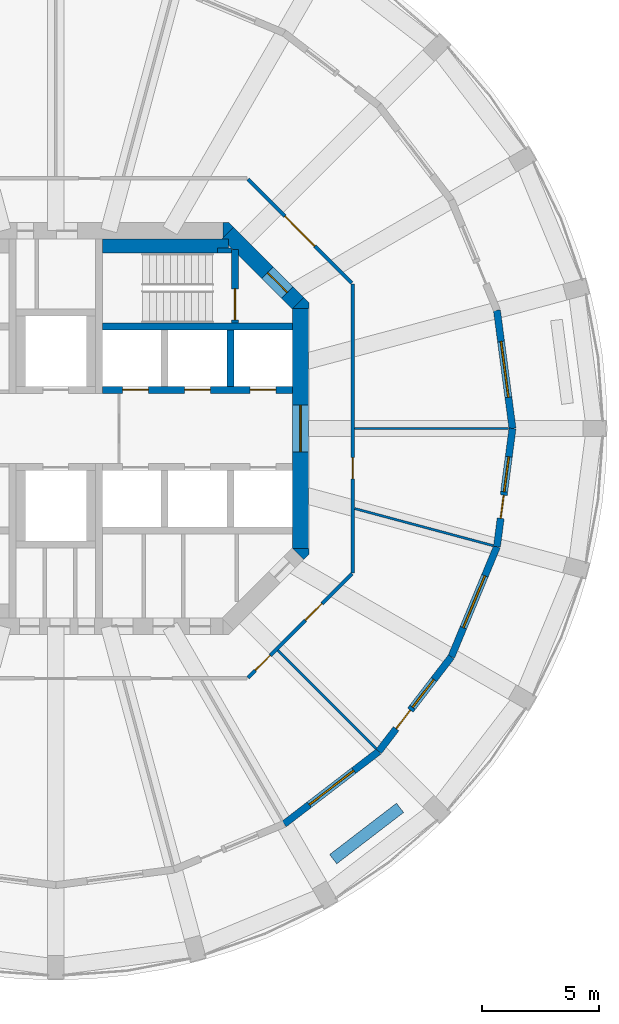
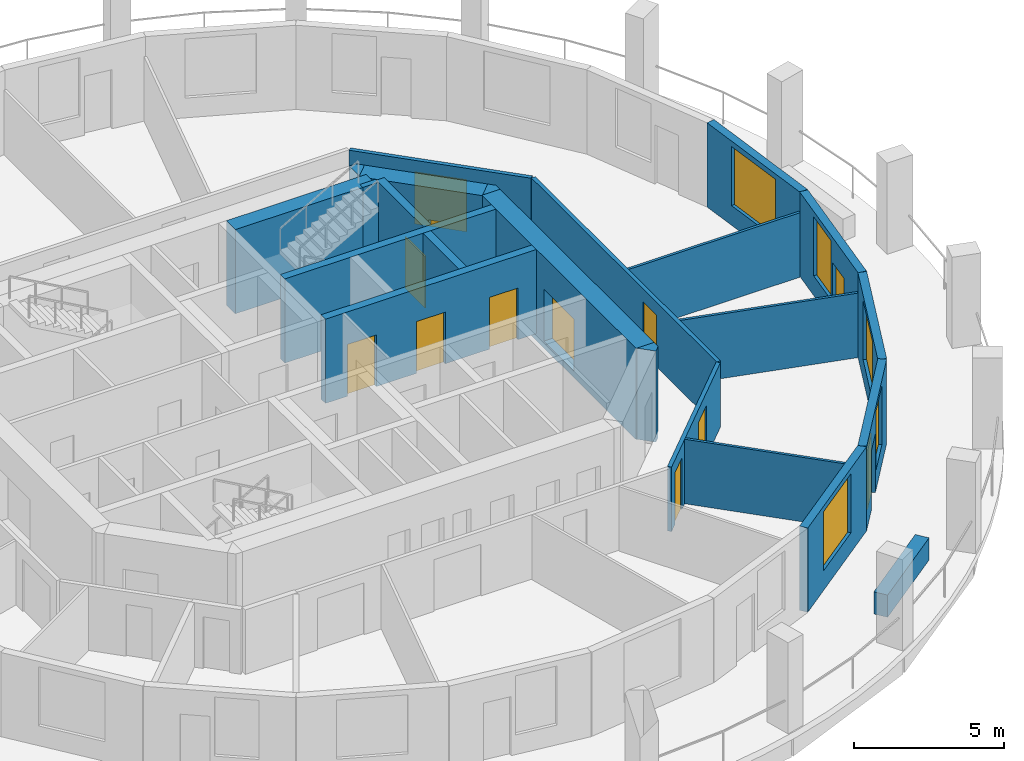
# One storey, part 5 of 9: 23 walls, 12 doors, 5 windows, 17 openings.
"""IFC4 building model written with IfcOpenShell, lengths in metres."""

from ifc_helpers import new_model, si_unit, direction, frame, frame_2d, origin, place, context, subcontext, project, spatial, polyline, rectangle, outline, extrude, material, layer, layer_set, type_object, element, fill, save


model = new_model("IFC4")

# Units and contexts
model_context = context("Model", 3, precision=1e-05, world=origin(), true_north=direction((0.0, 1.0)))
body_context = subcontext(model_context, "Body", "Model", "MODEL_VIEW")
ifc_project = project(units=[si_unit("LENGTHUNIT", "METRE"), si_unit("AREAUNIT", "SQUARE_METRE"), si_unit("VOLUMEUNIT", "CUBIC_METRE"), si_unit("PLANEANGLEUNIT", "RADIAN"), si_unit("MASSUNIT", "GRAM", prefix="KILO")], contexts=[model_context])

# Site, building, storey
site_placement = place(None, origin())
site = spatial("IfcSite", under=ifc_project, at=site_placement, CompositionType="ELEMENT")
building_placement = place(site_placement, origin())
building = spatial("IfcBuilding", under=site, at=building_placement, Name="Torre Triforio", CompositionType="ELEMENT")
storey_placement = place(building_placement, frame((0.0, 0.0, 211.300048828125)))
storey = spatial("IfcBuildingStorey", under=building, at=storey_placement, Name="L48", CompositionType="ELEMENT", Elevation=211.300048828125)

# Wall, opening, door
ifc_material_1 = material(Name="Concrete C50", Category="concrete")
ifc_layer_1 = layer(ifc_material_1, 0.699951171875)
ifc_layer_set_1 = layer_set([ifc_layer_1], Name="Concrete C50")
wall_type_1 = type_object("IfcWallType", Name="Core wall 700 mm C50 EI 120", PredefinedType="SHEAR", material=ifc_layer_set_1)
wall_1_placement = place(storey_placement, frame((10.449951171875, -5.1298828125, -0.280029296875), z_axis=(0.0, 0.0, 1.0), x_axis=(0.0, 1.0, 0.0)))
wall_1 = element("IfcWall", 1, at=wall_1_placement, inside=storey, type_object=wall_type_1, Name="Core wall", PredefinedType="SHEAR", context=body_context, shape_type="SweptSolid", body=[
    extrude(rectangle(XDim=10.259765625, YDim=0.699951171875, at=frame_2d((5.1298828125, 0.0))), origin(), (0.0, 0.0, 1.0), 3.699951171875),
])
opening_1_placement = place(wall_1_placement, frame((4.1298828125, 0.0, 0.280029296875)))
opening_1 = element("IfcOpeningElement", 2, at=opening_1_placement, cuts=wall_1, Name="Opening E-RING", PredefinedType="OPENING", context=body_context, shape_type="SweptSolid", body=[
    extrude(rectangle(XDim=2.0, YDim=2.10009765625, at=frame_2d((1.0, 1.050048828125))), frame((0.0, 0.35986328125, 0.0), z_axis=(0.0, -1.0, 0.0), x_axis=(1.0, 0.0, 0.0)), (0.0, 0.0, 1.0), 0.719970703125),
])
ifc_material_2 = material(Name="Hollow metal fire door leaf")
door_type_1 = type_object("IfcDoorType", Name="Lobby door 2000 x 2100 EI 60", OperationType="DOUBLE_DOOR_SINGLE_SWING", PredefinedType="DOOR", material=ifc_material_2)
door_1_placement = place(opening_1_placement, origin())
door_1 = element("IfcDoor", 3, at=door_1_placement, inside=storey, type_object=door_type_1, Name="Core door E-RING", OperationType="DOUBLE_DOOR_SINGLE_SWING", OverallHeight=2.10009765625, OverallWidth=2.0, PredefinedType="DOOR", context=body_context, shape_type="SweptSolid", body=[
    extrude(rectangle(XDim=2.0, YDim=2.10009765625, at=frame_2d((1.0, 1.050048828125))), frame((0.0, 0.02490234375, 0.0), z_axis=(0.0, -1.0, 0.0), x_axis=(1.0, 0.0, 0.0)), (0.0, 0.0, 1.0), 0.050048828125),
])
fill(opening_1, door_1)

wall_2_placement = place(storey_placement, frame((7.347412109375, 8.347412109375, -0.280029296875), z_axis=(0.0, 0.0, 1.0), x_axis=(0.707106781187, -0.707106781187, 0.0)))
wall_2 = element("IfcWall", 4, at=wall_2_placement, inside=storey, type_object=wall_type_1, Name="Core wall", PredefinedType="SHEAR", context=body_context, shape_type="SweptSolid", body=[
    extrude(rectangle(XDim=4.24267578125, YDim=0.699951171875, at=frame_2d((2.121337890625, 0.0))), origin(), (0.0, 0.0, 1.0), 3.699951171875),
])
opening_2_placement = place(wall_2_placement, frame((2.392578125, 0.0, 0.280029296875)))
opening_2 = element("IfcOpeningElement", 5, at=opening_2_placement, cuts=wall_2, Name="Opening ST2-EXIT", PredefinedType="OPENING", context=body_context, shape_type="SweptSolid", body=[
    extrude(rectangle(XDim=1.199951171875, YDim=2.10009765625, at=frame_2d((0.60009765625, 1.050048828125))), frame((0.0, 0.35986328125, 0.0), z_axis=(0.0, -1.0, 0.0), x_axis=(1.0, 0.0, 0.0)), (0.0, 0.0, 1.0), 0.719970703125),
])
door_type_2 = type_object("IfcDoorType", Name="Stair lobby door 1200 x 2100 EI 60", OperationType="NOTDEFINED", PredefinedType="DOOR", material=ifc_material_2)
door_2_placement = place(opening_2_placement, origin())
door_2 = element("IfcDoor", 6, at=door_2_placement, inside=storey, type_object=door_type_2, Name="Core door ST2-EXIT", OperationType="SINGLE_SWING_RIGHT", OverallHeight=2.10009765625, OverallWidth=1.199951171875, PredefinedType="DOOR", context=body_context, shape_type="SweptSolid", body=[
    extrude(rectangle(XDim=1.199951171875, YDim=2.10009765625, at=frame_2d((0.60009765625, 1.050048828125))), frame((0.0, 0.02490234375, 0.0), z_axis=(0.0, -1.0, 0.0), x_axis=(1.0, 0.0, 0.0)), (0.0, 0.0, 1.0), 0.050048828125),
])
fill(opening_2, door_2)

# Walls
wall_3_placement = place(storey_placement, frame((0.0, 0.0, -0.280029296875)))
element("IfcWall", 7, at=wall_3_placement, inside=storey, type_object=wall_type_1, Name="Core wall", PredefinedType="SHEAR", context=body_context, shape_type="SweptSolid", body=[
    extrude(outline(polyline([(10.800048828125, -5.389892578125), (10.594970703125, -5.594970703125), (10.594970703125, -5.594970703125), (10.594970703125, -5.594970703125), (10.1298828125, -5.1298828125), (10.800048828125, -5.1298828125), (10.800048828125, -5.1298828125), (10.800048828125, -5.389892578125)])), origin(), (0.0, 0.0, 1.0), 3.699951171875),
])
wall_4_placement = place(storey_placement, frame((0.0, 0.0, -0.280029296875)))
element("IfcWall", 8, at=wall_4_placement, inside=storey, type_object=wall_type_1, Name="Core wall", PredefinedType="SHEAR", context=body_context, shape_type="SweptSolid", body=[
    extrude(outline(polyline([(10.800048828125, 5.389892578125), (10.800048828125, 5.1298828125), (10.800048828125, 5.1298828125), (10.1298828125, 5.1298828125), (10.594970703125, 5.594970703125), (10.594970703125, 5.594970703125), (10.594970703125, 5.594970703125), (10.800048828125, 5.389892578125)])), origin(), (0.0, 0.0, 1.0), 3.699951171875),
])
wall_5_placement = place(storey_placement, frame((0.0, 0.0, -0.280029296875)))
element("IfcWall", 9, at=wall_5_placement, inside=storey, type_object=wall_type_1, Name="Core wall", PredefinedType="SHEAR", context=body_context, shape_type="SweptSolid", body=[
    extrude(outline(polyline([(7.389892578125, 8.800048828125), (7.594970703125, 8.594970703125), (7.594970703125, 8.594970703125), (7.594970703125, 8.594970703125), (7.1298828125, 8.1298828125), (7.1298828125, 8.800048828125), (7.1298828125, 8.800048828125), (7.389892578125, 8.800048828125)])), origin(), (0.0, 0.0, 1.0), 3.699951171875),
])

# Wall, openings, doors
ifc_material_3 = material(Name="Plasterboard on metal studs")
ifc_layer_2 = layer(ifc_material_3, 0.14990234375)
ifc_layer_set_2 = layer_set([ifc_layer_2], Name="Plasterboard on metal studs")
wall_type_2 = type_object("IfcWallType", Name="Corridor and tenancy wall 150 mm EI 60", PredefinedType="PARTITIONING", material=ifc_layer_set_2)
wall_6_placement = place(storey_placement, frame((12.637939453125, -6.20361328125, 0.0), z_axis=(0.0, 0.0, 1.0), x_axis=(-0.707106781187, -0.707106781187, 0.0)))
wall_6 = element("IfcWall", 10, at=wall_6_placement, inside=storey, type_object=wall_type_2, Name="Partition 1", PredefinedType="PARTITIONING", context=body_context, shape_type="SweptSolid", body=[
    extrude(rectangle(XDim=6.27099609375, YDim=0.14990234375, at=frame_2d((3.135498046875, 0.0))), origin(), (0.0, 0.0, 1.0), 2.619873046875),
])
opening_3_placement = place(wall_6_placement, frame((4.935302734375, 0.0, 0.0)))
opening_3 = element("IfcOpeningElement", 11, at=opening_3_placement, cuts=wall_6, Name="Opening O6-03", PredefinedType="OPENING", context=body_context, shape_type="SweptSolid", body=[
    extrude(rectangle(XDim=0.89990234375, YDim=2.10009765625, at=frame_2d((0.449951171875, 1.050048828125))), frame((0.0, 0.0849609375, 0.0), z_axis=(0.0, -1.0, 0.0), x_axis=(1.0, 0.0, 0.0)), (0.0, 0.0, 1.0), 0.169921875),
])
opening_4_placement = place(wall_6_placement, frame((1.7998046875, 0.0, 0.0)))
opening_4 = element("IfcOpeningElement", 12, at=opening_4_placement, cuts=wall_6, Name="Opening O6-04", PredefinedType="OPENING", context=body_context, shape_type="SweptSolid", body=[
    extrude(rectangle(XDim=1.0, YDim=2.10009765625, at=frame_2d((0.5, 1.050048828125))), frame((0.0, 0.0849609375, 0.0), z_axis=(0.0, -1.0, 0.0), x_axis=(1.0, 0.0, 0.0)), (0.0, 0.0, 1.0), 0.169921875),
])
ifc_material_4 = material(Name="Timber", Category="wood")
door_type_3 = type_object("IfcDoorType", Name="Door 1000 x 2100 single leaf EI 30", OperationType="NOTDEFINED", PredefinedType="DOOR", material=ifc_material_4)
door_3_placement = place(opening_4_placement, origin())
door_3 = element("IfcDoor", 13, at=door_3_placement, inside=storey, type_object=door_type_3, Name="Door O6-04", OperationType="SINGLE_SWING_RIGHT", OverallHeight=2.10009765625, OverallWidth=1.0, PredefinedType="DOOR", context=body_context, shape_type="SweptSolid", body=[
    extrude(rectangle(XDim=1.0, YDim=2.10009765625, at=frame_2d((0.5, 1.050048828125))), frame((0.0, 0.02490234375, 0.0), z_axis=(0.0, -1.0, 0.0), x_axis=(1.0, 0.0, 0.0)), (0.0, 0.0, 1.0), 0.050048828125),
])
fill(opening_4, door_3)
door_type_4 = type_object("IfcDoorType", Name="Door 900 x 2100 single leaf EI 30", OperationType="NOTDEFINED", PredefinedType="DOOR", material=ifc_material_4)
door_4_placement = place(opening_3_placement, origin())
door_4 = element("IfcDoor", 14, at=door_4_placement, inside=storey, type_object=door_type_4, Name="Door O6-03", OperationType="SINGLE_SWING_LEFT", OverallHeight=2.10009765625, OverallWidth=0.89990234375, PredefinedType="DOOR", context=body_context, shape_type="SweptSolid", body=[
    extrude(rectangle(XDim=0.89990234375, YDim=2.10009765625, at=frame_2d((0.449951171875, 1.050048828125))), frame((0.0, 0.02490234375, 0.0), z_axis=(0.0, -1.0, 0.0), x_axis=(1.0, 0.0, 0.0)), (0.0, 0.0, 1.0), 0.050048828125),
])
fill(opening_3, door_4)

# Wall, opening, door
wall_7_placement = place(storey_placement, frame((8.20361328125, 10.637939453125, 0.0), z_axis=(0.0, 0.0, 1.0), x_axis=(0.707106781187, -0.707106781187, 0.0)))
wall_7 = element("IfcWall", 15, at=wall_7_placement, inside=storey, type_object=wall_type_2, Name="Partition 9", PredefinedType="PARTITIONING", context=body_context, shape_type="SweptSolid", body=[
    extrude(rectangle(XDim=6.27099609375, YDim=0.14990234375, at=frame_2d((3.135498046875, 0.0))), origin(), (0.0, 0.0, 1.0), 2.619873046875),
])
opening_5_placement = place(wall_7_placement, frame((2.2353515625, 0.0, 0.0)))
opening_5 = element("IfcOpeningElement", 16, at=opening_5_placement, cuts=wall_7, Name="Opening O6-06", PredefinedType="OPENING", context=body_context, shape_type="SweptSolid", body=[
    extrude(rectangle(XDim=1.800048828125, YDim=2.10009765625, at=frame_2d((0.89990234375, 1.050048828125))), frame((0.0, 0.0849609375, 0.0), z_axis=(0.0, -1.0, 0.0), x_axis=(1.0, 0.0, 0.0)), (0.0, 0.0, 1.0), 0.169921875),
])
door_type_5 = type_object("IfcDoorType", Name="Door 1800 x 2100 double leaf EI 30", OperationType="DOUBLE_DOOR_SINGLE_SWING", PredefinedType="DOOR", material=ifc_material_4)
door_5_placement = place(opening_5_placement, origin())
door_5 = element("IfcDoor", 17, at=door_5_placement, inside=storey, type_object=door_type_5, Name="Door O6-06", OperationType="DOUBLE_DOOR_SINGLE_SWING", OverallHeight=2.10009765625, OverallWidth=1.800048828125, PredefinedType="DOOR", context=body_context, shape_type="SweptSolid", body=[
    extrude(rectangle(XDim=1.800048828125, YDim=2.10009765625, at=frame_2d((0.89990234375, 1.050048828125))), frame((0.0, 0.02490234375, 0.0), z_axis=(0.0, -1.0, 0.0), x_axis=(1.0, 0.0, 0.0)), (0.0, 0.0, 1.0), 0.050048828125),
])
fill(opening_5, door_5)

wall_8_placement = place(storey_placement, frame((12.675048828125, 6.16650390625, 0.0), z_axis=(0.0, 0.0, 1.0), x_axis=(0.0, -1.0, 0.0)))
wall_8 = element("IfcWall", 18, at=wall_8_placement, inside=storey, type_object=wall_type_2, Name="Partition 10", PredefinedType="PARTITIONING", context=body_context, shape_type="SweptSolid", body=[
    extrude(rectangle(XDim=12.3330078125, YDim=0.14990234375, at=frame_2d((6.16650390625, 0.0))), origin(), (0.0, 0.0, 1.0), 2.619873046875),
])
opening_6_placement = place(wall_8_placement, frame((7.41552734375, 0.0, 0.0)))
opening_6 = element("IfcOpeningElement", 19, at=opening_6_placement, cuts=wall_8, Name="Opening O6-05", PredefinedType="OPENING", context=body_context, shape_type="SweptSolid", body=[
    extrude(rectangle(XDim=0.89990234375, YDim=2.10009765625, at=frame_2d((0.449951171875, 1.050048828125))), frame((0.0, 0.0849609375, 0.0), z_axis=(0.0, -1.0, 0.0), x_axis=(1.0, 0.0, 0.0)), (0.0, 0.0, 1.0), 0.169921875),
])
door_6_placement = place(opening_6_placement, origin())
door_6 = element("IfcDoor", 20, at=door_6_placement, inside=storey, type_object=door_type_4, Name="Door O6-05", OperationType="SINGLE_SWING_LEFT", OverallHeight=2.10009765625, OverallWidth=0.89990234375, PredefinedType="DOOR", context=body_context, shape_type="SweptSolid", body=[
    extrude(rectangle(XDim=0.89990234375, YDim=2.10009765625, at=frame_2d((0.449951171875, 1.050048828125))), frame((0.0, 0.02490234375, 0.0), z_axis=(0.0, -1.0, 0.0), x_axis=(1.0, 0.0, 0.0)), (0.0, 0.0, 1.0), 0.050048828125),
])
fill(opening_6, door_6)

# Walls
ifc_layer_3 = layer(ifc_material_3, 0.10009765625)
ifc_layer_set_3 = layer_set([ifc_layer_3], Name="Plasterboard on metal studs")
wall_type_3 = type_object("IfcWallType", Name="Partition 100 mm board on metal studs", PredefinedType="PARTITIONING", material=ifc_layer_set_3)
wall_9_placement = place(storey_placement, frame((12.75, 0.0, 0.0), z_axis=(0.0, 0.0, 1.0), x_axis=(1.0, 0.0, 0.0)))
element("IfcWall", 21, at=wall_9_placement, inside=storey, type_object=wall_type_3, Name="Partition 11", PredefinedType="PARTITIONING", context=body_context, shape_type="SweptSolid", body=[
    extrude(rectangle(XDim=6.586669921875, YDim=0.10009765625, at=frame_2d((3.29345703125, 0.0))), origin(), (0.0, 0.0, 1.0), 2.619873046875),
])
wall_10_placement = place(storey_placement, frame((9.473876953125, -9.473876953125, 0.0), z_axis=(0.0, 0.0, 1.0), x_axis=(0.707106781187, -0.707106781187, 0.0)))
element("IfcWall", 22, at=wall_10_placement, inside=storey, type_object=wall_type_3, Name="Partition 26", PredefinedType="PARTITIONING", context=body_context, shape_type="SweptSolid", body=[
    extrude(rectangle(XDim=5.9384765625, YDim=0.10009765625, at=frame_2d((2.96923828125, 0.0))), origin(), (0.0, 0.0, 1.0), 2.619873046875),
])
wall_11_placement = place(storey_placement, frame((12.764404296875, -3.420166015625, 0.0), z_axis=(0.0, 0.0, 1.0), x_axis=(0.965925800266, -0.258819142221, 0.0)))
element("IfcWall", 23, at=wall_11_placement, inside=storey, type_object=wall_type_3, Name="Partition 27", PredefinedType="PARTITIONING", context=body_context, shape_type="SweptSolid", body=[
    extrude(rectangle(XDim=6.121826171875, YDim=0.10009765625, at=frame_2d((3.06103515625, 0.0))), origin(), (0.0, 0.0, 1.0), 2.619873046875),
])
ifc_material_5 = material(Name="Limestone cladding", Category="masonry")
ifc_layer_4 = layer(ifc_material_5, 0.10009765625)
ifc_material_6 = material(Name="Concrete C40", Category="concrete")
ifc_layer_5 = layer(ifc_material_6, 0.39990234375)
ifc_layer_set_4 = layer_set([ifc_layer_4, ifc_layer_5], Name="Limestone cladding / Concrete C40")
wall_type_4 = type_object("IfcWallType", Name="Planter wall 500", PredefinedType="PARAPET", material=ifc_layer_set_4)
wall_12_placement = place(storey_placement, frame((11.843017578125, -18.390869140625, 0.0), z_axis=(0.0, 0.0, 1.0), x_axis=(0.793326845617, 0.608795955984, 0.0)))
element("IfcWall", 24, at=wall_12_placement, inside=storey, type_object=wall_type_4, Name="Planter L48 bay 21", PredefinedType="PARAPET", context=body_context, shape_type="SweptSolid", body=[
    extrude(rectangle(XDim=3.599853515625, YDim=0.5, at=frame_2d((1.7998046875, 0.0))), origin(), (0.0, 0.0, 1.0), 0.89990234375),
])
ifc_layer_6 = layer(ifc_material_1, 0.300048828125)
ifc_layer_set_5 = layer_set([ifc_layer_6], Name="Concrete C50")
wall_type_5 = type_object("IfcWallType", Name="Shaft wall 300 mm C50 EI 120", PredefinedType="SOLIDWALL", material=ifc_layer_set_5)
wall_13_placement = place(storey_placement, frame((2.0, 4.35009765625, 0.0), z_axis=(0.0, 0.0, 1.0), x_axis=(1.0, 0.0, 0.0)))
element("IfcWall", 25, at=wall_13_placement, inside=storey, type_object=wall_type_5, Name="Shaft wall", PredefinedType="SOLIDWALL", context=body_context, shape_type="SweptSolid", body=[
    extrude(rectangle(XDim=8.10009765625, YDim=0.300048828125, at=frame_2d((4.050048828125, 0.0))), origin(), (0.0, 0.0, 1.0), 3.419921875),
])

# Wall, openings, doors
wall_14_placement = place(storey_placement, frame((2.0, 1.64990234375, 0.0), z_axis=(0.0, 0.0, 1.0), x_axis=(1.0, 0.0, 0.0)))
wall_14 = element("IfcWall", 26, at=wall_14_placement, inside=storey, type_object=wall_type_5, Name="Shaft wall", PredefinedType="SOLIDWALL", context=body_context, shape_type="SweptSolid", body=[
    extrude(rectangle(XDim=8.10009765625, YDim=0.300048828125, at=frame_2d((4.050048828125, 0.0))), origin(), (0.0, 0.0, 1.0), 3.419921875),
])
opening_7_placement = place(wall_14_placement, frame((0.85009765625, 0.0, 0.0)))
opening_7 = element("IfcOpeningElement", 27, at=opening_7_placement, cuts=wall_14, Name="Opening LD", PredefinedType="OPENING", context=body_context, shape_type="SweptSolid", body=[
    extrude(rectangle(XDim=1.10009765625, YDim=2.10009765625, at=frame_2d((0.550048828125, 1.050048828125))), frame((0.0, 0.159912109375, 0.0), z_axis=(0.0, -1.0, 0.0), x_axis=(1.0, 0.0, 0.0)), (0.0, 0.0, 1.0), 0.320068359375),
])
opening_8_placement = place(wall_14_placement, frame((3.5, 0.0, 0.0)))
opening_8 = element("IfcOpeningElement", 28, at=opening_8_placement, cuts=wall_14, Name="Opening LD", PredefinedType="OPENING", context=body_context, shape_type="SweptSolid", body=[
    extrude(rectangle(XDim=1.10009765625, YDim=2.10009765625, at=frame_2d((0.550048828125, 1.050048828125))), frame((0.0, 0.159912109375, 0.0), z_axis=(0.0, -1.0, 0.0), x_axis=(1.0, 0.0, 0.0)), (0.0, 0.0, 1.0), 0.320068359375),
])
opening_9_placement = place(wall_14_placement, frame((6.300048828125, 0.0, 0.0)))
opening_9 = element("IfcOpeningElement", 29, at=opening_9_placement, cuts=wall_14, Name="Opening LD", PredefinedType="OPENING", context=body_context, shape_type="SweptSolid", body=[
    extrude(rectangle(XDim=1.10009765625, YDim=2.10009765625, at=frame_2d((0.550048828125, 1.050048828125))), frame((0.0, 0.159912109375, 0.0), z_axis=(0.0, -1.0, 0.0), x_axis=(1.0, 0.0, 0.0)), (0.0, 0.0, 1.0), 0.320068359375),
])
door_type_6 = type_object("IfcDoorType", Name="Landing door 1100 x 2100 EI 60", OperationType="DOUBLE_DOOR_SLIDING", PredefinedType="DOOR", material=ifc_material_2)
door_7_placement = place(opening_7_placement, origin())
door_7 = element("IfcDoor", 30, at=door_7_placement, inside=storey, type_object=door_type_6, Name="Landing door HR1", OperationType="DOUBLE_DOOR_SLIDING", OverallHeight=2.10009765625, OverallWidth=1.10009765625, PredefinedType="DOOR", context=body_context, shape_type="SweptSolid", body=[
    extrude(rectangle(XDim=1.10009765625, YDim=2.10009765625, at=frame_2d((0.550048828125, 1.050048828125))), frame((0.0, 0.02490234375, 0.0), z_axis=(0.0, -1.0, 0.0), x_axis=(1.0, 0.0, 0.0)), (0.0, 0.0, 1.0), 0.050048828125),
])
fill(opening_7, door_7)
door_8_placement = place(opening_8_placement, origin())
door_8 = element("IfcDoor", 31, at=door_8_placement, inside=storey, type_object=door_type_6, Name="Landing door HR2", OperationType="DOUBLE_DOOR_SLIDING", OverallHeight=2.10009765625, OverallWidth=1.10009765625, PredefinedType="DOOR", context=body_context, shape_type="SweptSolid", body=[
    extrude(rectangle(XDim=1.10009765625, YDim=2.10009765625, at=frame_2d((0.550048828125, 1.050048828125))), frame((0.0, 0.02490234375, 0.0), z_axis=(0.0, -1.0, 0.0), x_axis=(1.0, 0.0, 0.0)), (0.0, 0.0, 1.0), 0.050048828125),
])
fill(opening_8, door_8)
door_9_placement = place(opening_9_placement, origin())
door_9 = element("IfcDoor", 32, at=door_9_placement, inside=storey, type_object=door_type_6, Name="Landing door HR3", OperationType="DOUBLE_DOOR_SLIDING", OverallHeight=2.10009765625, OverallWidth=1.10009765625, PredefinedType="DOOR", context=body_context, shape_type="SweptSolid", body=[
    extrude(rectangle(XDim=1.10009765625, YDim=2.10009765625, at=frame_2d((0.550048828125, 1.050048828125))), frame((0.0, 0.02490234375, 0.0), z_axis=(0.0, -1.0, 0.0), x_axis=(1.0, 0.0, 0.0)), (0.0, 0.0, 1.0), 0.050048828125),
])
fill(opening_9, door_9)

# Walls
wall_15_placement = place(storey_placement, frame((7.449951171875, 1.800048828125, 0.0), z_axis=(0.0, 0.0, 1.0), x_axis=(0.0, 1.0, 0.0)))
element("IfcWall", 33, at=wall_15_placement, inside=storey, type_object=wall_type_5, Name="Shaft wall", PredefinedType="SOLIDWALL", context=body_context, shape_type="SweptSolid", body=[
    extrude(rectangle(XDim=2.39990234375, YDim=0.300048828125, at=frame_2d((1.199951171875, 0.0))), origin(), (0.0, 0.0, 1.0), 3.419921875),
])
ifc_layer_7 = layer(ifc_material_1, 0.199951171875)
ifc_layer_set_6 = layer_set([ifc_layer_7], Name="Concrete C50")
wall_type_6 = type_object("IfcWallType", Name="Stair wall 200 mm C50 EI 120", PredefinedType="SHEAR", material=ifc_layer_set_6)
wall_16_placement = place(storey_placement, frame((6.89990234375, 7.60009765625, 0.0), z_axis=(0.0, 0.0, 1.0), x_axis=(1.0, 0.0, 0.0)))
element("IfcWall", 34, at=wall_16_placement, inside=storey, type_object=wall_type_6, Name="Stair wall", PredefinedType="SHEAR", context=body_context, shape_type="SweptSolid", body=[
    extrude(rectangle(XDim=0.60009765625, YDim=0.199951171875, at=frame_2d((0.300048828125, 0.0))), origin(), (0.0, 0.0, 1.0), 3.419921875),
])

# Wall, opening, door
ifc_layer_8 = layer(ifc_material_1, 0.300048828125)
ifc_layer_set_7 = layer_set([ifc_layer_8], Name="Concrete C50")
wall_type_7 = type_object("IfcWallType", Name="Stair wall 300 mm C50 EI 120", PredefinedType="SHEAR", material=ifc_layer_set_7)
wall_17_placement = place(storey_placement, frame((7.64990234375, 4.5, 0.0), z_axis=(0.0, 0.0, 1.0), x_axis=(0.0, 1.0, 0.0)))
wall_17 = element("IfcWall", 35, at=wall_17_placement, inside=storey, type_object=wall_type_7, Name="Stair wall", PredefinedType="SHEAR", context=body_context, shape_type="SweptSolid", body=[
    extrude(rectangle(XDim=3.139892578125, YDim=0.300048828125, at=frame_2d((1.56982421875, 0.0))), origin(), (0.0, 0.0, 1.0), 3.419921875),
])
opening_10_placement = place(wall_17_placement, frame((0.139892578125, 0.0, 0.0)))
opening_10 = element("IfcOpeningElement", 36, at=opening_10_placement, cuts=wall_17, Name="Opening ST2-STA", PredefinedType="OPENING", context=body_context, shape_type="SweptSolid", body=[
    extrude(rectangle(XDim=1.320068359375, YDim=2.10009765625, at=frame_2d((0.66015625, 1.050048828125))), frame((0.0, 0.159912109375, 0.0), z_axis=(0.0, -1.0, 0.0), x_axis=(1.0, 0.0, 0.0)), (0.0, 0.0, 1.0), 0.320068359375),
])
door_type_7 = type_object("IfcDoorType", Name="Stair door 1320 x 2100 EI 90", OperationType="DOUBLE_DOOR_SINGLE_SWING", PredefinedType="DOOR", material=ifc_material_2)
door_10_placement = place(opening_10_placement, origin())
door_10 = element("IfcDoor", 37, at=door_10_placement, inside=storey, type_object=door_type_7, Name="Core door ST2-ST", OperationType="DOUBLE_DOOR_SINGLE_SWING", OverallHeight=2.10009765625, OverallWidth=1.320068359375, PredefinedType="DOOR", context=body_context, shape_type="SweptSolid", body=[
    extrude(rectangle(XDim=1.320068359375, YDim=2.10009765625, at=frame_2d((0.66015625, 1.050048828125))), frame((0.0, 0.02490234375, 0.0), z_axis=(0.0, -1.0, 0.0), x_axis=(1.0, 0.0, 0.0)), (0.0, 0.0, 1.0), 0.050048828125),
])
fill(opening_10, door_10)

# Wall
ifc_layer_9 = layer(ifc_material_1, 0.60009765625)
ifc_layer_set_8 = layer_set([ifc_layer_9], Name="Concrete C50")
wall_type_8 = type_object("IfcWallType", Name="Stair wall 600 mm C50 EI 120", PredefinedType="SHEAR", material=ifc_layer_set_8)
wall_18_placement = place(storey_placement, frame((2.0, 7.800048828125, 0.0), z_axis=(0.0, 0.0, 1.0), x_axis=(1.0, 0.0, 0.0)))
element("IfcWall", 38, at=wall_18_placement, inside=storey, type_object=wall_type_8, Name="Stair wall", PredefinedType="SHEAR", context=body_context, shape_type="SweptSolid", body=[
    extrude(rectangle(XDim=5.3701171875, YDim=0.60009765625, at=frame_2d((2.68505859375, 0.0))), origin(), (0.0, 0.0, 1.0), 3.419921875),
])

# Wall, opening, window
ifc_layer_10 = layer(ifc_material_5, 0.10009765625)
ifc_layer_11 = layer(ifc_material_6, 0.199951171875)
ifc_layer_set_9 = layer_set([ifc_layer_10, ifc_layer_11], Name="Limestone cladding / Concrete C40")
wall_type_9 = type_object("IfcWallType", Name="Stone-faced composite wall 300", PredefinedType="STANDARD", material=ifc_layer_set_9)
wall_19_placement = place(storey_placement, frame((19.5, 0.0, 0.0), z_axis=(0.0, 0.0, 1.0), x_axis=(-0.130495451964, 0.99144890792, 0.0)))
wall_19 = element("IfcWall", 39, at=wall_19_placement, inside=storey, type_object=wall_type_9, Name="External wall L48 bay 01", PredefinedType="STANDARD", context=body_context, shape_type="SweptSolid", body=[
    extrude(rectangle(XDim=5.090576171875, YDim=0.300048828125, at=frame_2d((2.54541015625, 0.0))), origin(), (0.0, 0.0, 1.0), 3.419921875),
])
opening_11_placement = place(wall_19_placement, frame((1.34521484375, 0.0, 0.800048828125)))
opening_11 = element("IfcOpeningElement", 40, at=opening_11_placement, cuts=wall_19, Name="Opening O6-W01", PredefinedType="OPENING", context=body_context, shape_type="SweptSolid", body=[
    extrude(rectangle(XDim=2.39990234375, YDim=2.39990234375, at=frame_2d((1.199951171875, 1.199951171875))), frame((0.0, 0.159912109375, 0.0), z_axis=(0.0, -1.0, 0.0), x_axis=(1.0, 0.0, 0.0)), (0.0, 0.0, 1.0), 0.320068359375),
])
ifc_material_7 = material(Name="Aluminium frame with clear double glazing", Category="aluminium")
window_type_1 = type_object("IfcWindowType", Name="Punched window 2400 x 2400", PartitioningType="DOUBLE_PANEL_VERTICAL", PredefinedType="WINDOW", material=ifc_material_7)
window_1_placement = place(opening_11_placement, origin())
window_1 = element("IfcWindow", 41, at=window_1_placement, inside=storey, type_object=window_type_1, Name="Window EWN4 L48 bay 01", OverallHeight=2.39990234375, OverallWidth=2.39990234375, PartitioningType="SINGLE_PANEL", PredefinedType="WINDOW", context=body_context, shape_type="SweptSolid", body=[
    extrude(rectangle(XDim=2.39990234375, YDim=2.39990234375, at=frame_2d((1.199951171875, 1.199951171875))), frame((0.0, 0.030029296875, 0.0), z_axis=(0.0, -1.0, 0.0), x_axis=(1.0, 0.0, 0.0)), (0.0, 0.0, 1.0), 0.06005859375),
])
fill(opening_11, window_1)

wall_20_placement = place(storey_placement, frame((9.75, -16.887451171875, 0.0), z_axis=(0.0, 0.0, 1.0), x_axis=(0.79335619014, 0.608757714995, 0.0)))
wall_20 = element("IfcWall", 42, at=wall_20_placement, inside=storey, type_object=wall_type_9, Name="External wall L48 bay 21", PredefinedType="STANDARD", context=body_context, shape_type="SweptSolid", body=[
    extrude(rectangle(XDim=5.090576171875, YDim=0.300048828125, at=frame_2d((2.54541015625, 0.0))), origin(), (0.0, 0.0, 1.0), 3.419921875),
])
opening_12_placement = place(wall_20_placement, frame((1.34521484375, 0.0, 0.800048828125)))
opening_12 = element("IfcOpeningElement", 43, at=opening_12_placement, cuts=wall_20, Name="Opening O6-W21", PredefinedType="OPENING", context=body_context, shape_type="SweptSolid", body=[
    extrude(rectangle(XDim=2.39990234375, YDim=2.39990234375, at=frame_2d((1.199951171875, 1.199951171875))), frame((0.0, 0.159912109375, 0.0), z_axis=(0.0, -1.0, 0.0), x_axis=(1.0, 0.0, 0.0)), (0.0, 0.0, 1.0), 0.320068359375),
])
window_2_placement = place(opening_12_placement, origin())
window_2 = element("IfcWindow", 44, at=window_2_placement, inside=storey, type_object=window_type_1, Name="Window EWN4 L48 bay 21", OverallHeight=2.39990234375, OverallWidth=2.39990234375, PartitioningType="SINGLE_PANEL", PredefinedType="WINDOW", context=body_context, shape_type="SweptSolid", body=[
    extrude(rectangle(XDim=2.39990234375, YDim=2.39990234375, at=frame_2d((1.199951171875, 1.199951171875))), frame((0.0, 0.030029296875, 0.0), z_axis=(0.0, -1.0, 0.0), x_axis=(1.0, 0.0, 0.0)), (0.0, 0.0, 1.0), 0.06005859375),
])
fill(opening_12, window_2)

# Wall, openings, door, window
wall_21_placement = place(storey_placement, frame((13.78857421875, -13.78857421875, 0.0), z_axis=(0.0, 0.0, 1.0), x_axis=(0.608757714995, 0.79335619014, 0.0)))
wall_21 = element("IfcWall", 45, at=wall_21_placement, inside=storey, type_object=wall_type_9, Name="External wall L48 bay 22", PredefinedType="STANDARD", context=body_context, shape_type="SweptSolid", body=[
    extrude(rectangle(XDim=5.090576171875, YDim=0.300048828125, at=frame_2d((2.54541015625, 0.0))), origin(), (0.0, 0.0, 1.0), 3.419921875),
])
opening_13_placement = place(wall_21_placement, frame((1.22021484375, 0.0, 0.0)))
opening_13 = element("IfcOpeningElement", 46, at=opening_13_placement, cuts=wall_21, Name="Opening O6-D22", PredefinedType="OPENING", context=body_context, shape_type="SweptSolid", body=[
    extrude(rectangle(XDim=1.0, YDim=2.39990234375, at=frame_2d((0.5, 1.199951171875))), frame((0.0, 0.159912109375, 0.0), z_axis=(0.0, -1.0, 0.0), x_axis=(1.0, 0.0, 0.0)), (0.0, 0.0, 1.0), 0.320068359375),
])
opening_14_placement = place(wall_21_placement, frame((2.370361328125, 0.0, 0.800048828125)))
opening_14 = element("IfcOpeningElement", 47, at=opening_14_placement, cuts=wall_21, Name="Opening O6-W22A", PredefinedType="OPENING", context=body_context, shape_type="SweptSolid", body=[
    extrude(rectangle(XDim=1.5, YDim=2.39990234375, at=frame_2d((0.75, 1.199951171875))), frame((0.0, 0.159912109375, 0.0), z_axis=(0.0, -1.0, 0.0), x_axis=(1.0, 0.0, 0.0)), (0.0, 0.0, 1.0), 0.320068359375),
])
door_type_8 = type_object("IfcDoorType", Name="Loggia door 1000 x 2400", OperationType="NOTDEFINED", PredefinedType="DOOR", material=ifc_material_7)
door_11_placement = place(opening_13_placement, origin())
door_11 = element("IfcDoor", 48, at=door_11_placement, inside=storey, type_object=door_type_8, Name="Loggia door L48 bay 22", OperationType="SINGLE_SWING_LEFT", OverallHeight=2.39990234375, OverallWidth=1.0, PredefinedType="DOOR", context=body_context, shape_type="SweptSolid", body=[
    extrude(rectangle(XDim=1.0, YDim=2.39990234375, at=frame_2d((0.5, 1.199951171875))), frame((0.0, 0.02490234375, 0.0), z_axis=(0.0, -1.0, 0.0), x_axis=(1.0, 0.0, 0.0)), (0.0, 0.0, 1.0), 0.050048828125),
])
fill(opening_13, door_11)
window_type_2 = type_object("IfcWindowType", Name="Side window 1500 x 2400", PartitioningType="SINGLE_PANEL", PredefinedType="WINDOW", material=ifc_material_7)
window_3_placement = place(opening_14_placement, origin())
window_3 = element("IfcWindow", 49, at=window_3_placement, inside=storey, type_object=window_type_2, Name="Side window EWN14 L48 bay 22", OverallHeight=2.39990234375, OverallWidth=1.5, PartitioningType="SINGLE_PANEL", PredefinedType="WINDOW", context=body_context, shape_type="SweptSolid", body=[
    extrude(rectangle(XDim=1.5, YDim=2.39990234375, at=frame_2d((0.75, 1.199951171875))), frame((0.0, 0.030029296875, 0.0), z_axis=(0.0, -1.0, 0.0), x_axis=(1.0, 0.0, 0.0)), (0.0, 0.0, 1.0), 0.06005859375),
])
fill(opening_14, window_3)

# Wall, opening, window
wall_22_placement = place(storey_placement, frame((16.887451171875, -9.75, 0.0), z_axis=(0.0, 0.0, 1.0), x_axis=(0.382724538613, 0.923862504675, 0.0)))
wall_22 = element("IfcWall", 50, at=wall_22_placement, inside=storey, type_object=wall_type_9, Name="External wall L48 bay 23", PredefinedType="STANDARD", context=body_context, shape_type="SweptSolid", body=[
    extrude(rectangle(XDim=5.090576171875, YDim=0.300048828125, at=frame_2d((2.54541015625, 0.0))), origin(), (0.0, 0.0, 1.0), 3.419921875),
])
opening_15_placement = place(wall_22_placement, frame((1.34521484375, 0.0, 0.800048828125)))
opening_15 = element("IfcOpeningElement", 51, at=opening_15_placement, cuts=wall_22, Name="Opening O6-W23", PredefinedType="OPENING", context=body_context, shape_type="SweptSolid", body=[
    extrude(rectangle(XDim=2.39990234375, YDim=2.39990234375, at=frame_2d((1.199951171875, 1.199951171875))), frame((0.0, 0.159912109375, 0.0), z_axis=(0.0, -1.0, 0.0), x_axis=(1.0, 0.0, 0.0)), (0.0, 0.0, 1.0), 0.320068359375),
])
window_4_placement = place(opening_15_placement, origin())
window_4 = element("IfcWindow", 52, at=window_4_placement, inside=storey, type_object=window_type_1, Name="Window EWN4 L48 bay 23", OverallHeight=2.39990234375, OverallWidth=2.39990234375, PartitioningType="SINGLE_PANEL", PredefinedType="WINDOW", context=body_context, shape_type="SweptSolid", body=[
    extrude(rectangle(XDim=2.39990234375, YDim=2.39990234375, at=frame_2d((1.199951171875, 1.199951171875))), frame((0.0, 0.030029296875, 0.0), z_axis=(0.0, -1.0, 0.0), x_axis=(1.0, 0.0, 0.0)), (0.0, 0.0, 1.0), 0.06005859375),
])
fill(opening_15, window_4)

# Wall, openings, door, window
wall_23_placement = place(storey_placement, frame((18.835693359375, -5.047119140625, 0.0), z_axis=(0.0, 0.0, 1.0), x_axis=(0.130495451964, 0.99144890792, 0.0)))
wall_23 = element("IfcWall", 53, at=wall_23_placement, inside=storey, type_object=wall_type_9, Name="External wall L48 bay 24", PredefinedType="STANDARD", context=body_context, shape_type="SweptSolid", body=[
    extrude(rectangle(XDim=5.090576171875, YDim=0.300048828125, at=frame_2d((2.54541015625, 0.0))), origin(), (0.0, 0.0, 1.0), 3.419921875),
])
opening_16_placement = place(wall_23_placement, frame((1.22021484375, 0.0, 0.0)))
opening_16 = element("IfcOpeningElement", 54, at=opening_16_placement, cuts=wall_23, Name="Opening O6-D24", PredefinedType="OPENING", context=body_context, shape_type="SweptSolid", body=[
    extrude(rectangle(XDim=1.0, YDim=2.39990234375, at=frame_2d((0.5, 1.199951171875))), frame((0.0, 0.159912109375, 0.0), z_axis=(0.0, -1.0, 0.0), x_axis=(1.0, 0.0, 0.0)), (0.0, 0.0, 1.0), 0.320068359375),
])
opening_17_placement = place(wall_23_placement, frame((2.370361328125, 0.0, 0.800048828125)))
opening_17 = element("IfcOpeningElement", 55, at=opening_17_placement, cuts=wall_23, Name="Opening O6-W24A", PredefinedType="OPENING", context=body_context, shape_type="SweptSolid", body=[
    extrude(rectangle(XDim=1.5, YDim=2.39990234375, at=frame_2d((0.75, 1.199951171875))), frame((0.0, 0.159912109375, 0.0), z_axis=(0.0, -1.0, 0.0), x_axis=(1.0, 0.0, 0.0)), (0.0, 0.0, 1.0), 0.320068359375),
])
door_12_placement = place(opening_16_placement, origin())
door_12 = element("IfcDoor", 56, at=door_12_placement, inside=storey, type_object=door_type_8, Name="Loggia door L48 bay 24", OperationType="SINGLE_SWING_LEFT", OverallHeight=2.39990234375, OverallWidth=1.0, PredefinedType="DOOR", context=body_context, shape_type="SweptSolid", body=[
    extrude(rectangle(XDim=1.0, YDim=2.39990234375, at=frame_2d((0.5, 1.199951171875))), frame((0.0, 0.02490234375, 0.0), z_axis=(0.0, -1.0, 0.0), x_axis=(1.0, 0.0, 0.0)), (0.0, 0.0, 1.0), 0.050048828125),
])
fill(opening_16, door_12)
window_5_placement = place(opening_17_placement, origin())
window_5 = element("IfcWindow", 57, at=window_5_placement, inside=storey, type_object=window_type_2, Name="Side window EWN14 L48 bay 24", OverallHeight=2.39990234375, OverallWidth=1.5, PartitioningType="SINGLE_PANEL", PredefinedType="WINDOW", context=body_context, shape_type="SweptSolid", body=[
    extrude(rectangle(XDim=1.5, YDim=2.39990234375, at=frame_2d((0.75, 1.199951171875))), frame((0.0, 0.030029296875, 0.0), z_axis=(0.0, -1.0, 0.0), x_axis=(1.0, 0.0, 0.0)), (0.0, 0.0, 1.0), 0.06005859375),
])
fill(opening_17, window_5)

save(model, "model.ifc")
